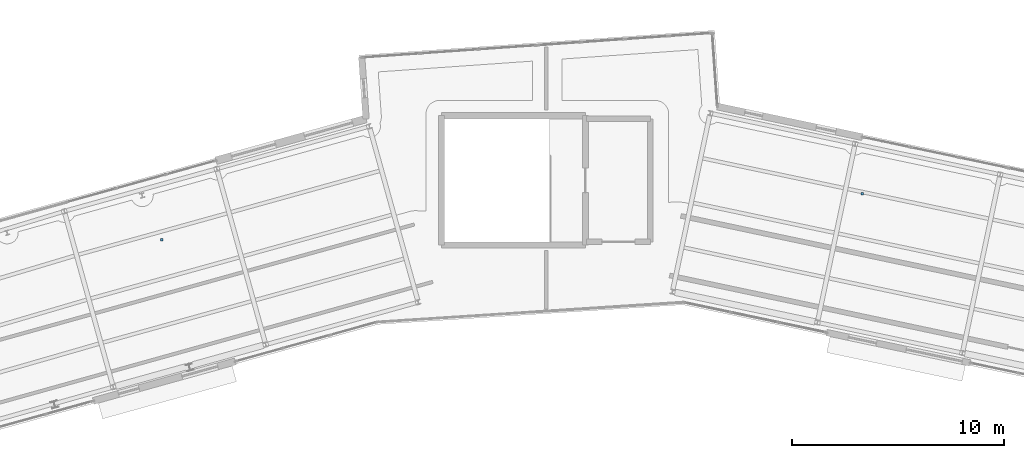
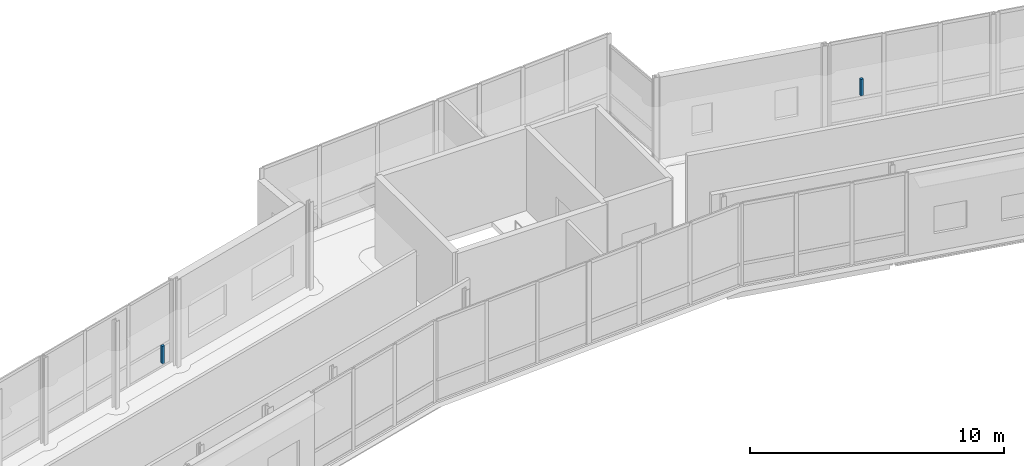
# One storey, part 108 of 125: 2 discrete accessories.
"""IFC4 building model written with IfcOpenShell, lengths in metres."""

from ifc_helpers import new_model, si_unit, direction, frame, origin, origin_2d, place, context, subcontext, project, spatial, rectangle, extrude, material, type_object, element, save


model = new_model("IFC4")

# Units and contexts
model_context = context("Model", 3, precision=1e-05, world=origin(), true_north=direction((0.0, 1.0)))
body_context = subcontext(model_context, "Body", "Model", "MODEL_VIEW")
ifc_project = project(units=[si_unit("LENGTHUNIT", "METRE"), si_unit("AREAUNIT", "SQUARE_METRE"), si_unit("VOLUMEUNIT", "CUBIC_METRE"), si_unit("PLANEANGLEUNIT", "RADIAN"), si_unit("MASSUNIT", "GRAM", prefix="KILO")], contexts=[model_context])

# Site, building, storey
site_placement = place(None, origin())
site = spatial("IfcSite", under=ifc_project, at=site_placement, CompositionType="ELEMENT")
building_placement = place(site_placement, origin())
building = spatial("IfcBuilding", under=site, at=building_placement, Name="Wrenclough Park School", CompositionType="ELEMENT")
storey_placement = place(building_placement, frame((0.0, 0.0, 4.199951171875)))
storey = spatial("IfcBuildingStorey", under=building, at=storey_placement, Name="L01", CompositionType="ELEMENT", Elevation=4.199951171875)

# Discrete accessories
ifc_material = material(Name="Galvanised steel acoustic ceiling suspension hanger", Category="steel")
discrete_accessory_type = type_object("IfcDiscreteAccessoryType", Name="INT-BRK-HGR", PredefinedType="BRACKET", material=ifc_material)
discrete_accessory_1_placement = place(storey_placement, frame((75.882080078125, 36.298583984375, 3.090087890625), z_axis=(0.0, 0.0, 1.0), x_axis=(1.0, 0.0, 0.0)))
element("IfcDiscreteAccessory", 1, at=discrete_accessory_1_placement, inside=storey, type_object=discrete_accessory_type, Name="Acoustic ceiling hanger bracket 0037", PredefinedType="BRACKET", context=body_context, shape_type="SweptSolid", body=[
    extrude(rectangle(XDim=0.1201171875, YDim=0.1201171875, at=origin_2d()), origin(), (0.0, 0.0, 1.0), 0.8349609375),
])
discrete_accessory_2_placement = place(storey_placement, frame((108.885986328125, 38.463623046875, 3.090087890625), z_axis=(0.0, 0.0, 1.0), x_axis=(1.0, 0.0, 0.0)))
element("IfcDiscreteAccessory", 2, at=discrete_accessory_2_placement, inside=storey, type_object=discrete_accessory_type, Name="Acoustic ceiling hanger bracket 0038", PredefinedType="BRACKET", context=body_context, shape_type="SweptSolid", body=[
    extrude(rectangle(XDim=0.1201171875, YDim=0.1201171875, at=origin_2d()), origin(), (0.0, 0.0, 1.0), 0.7900390625),
])

save(model, "model.ifc")
